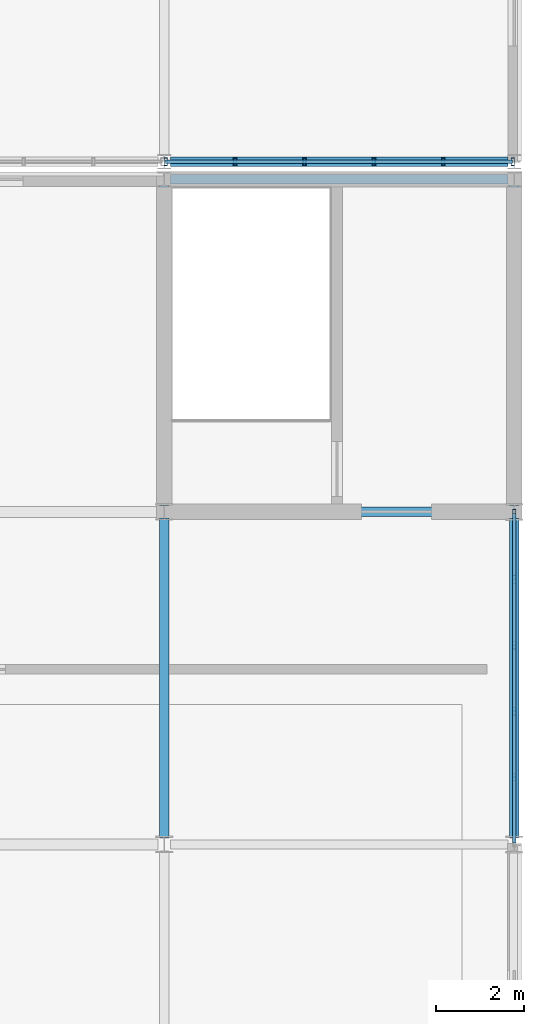
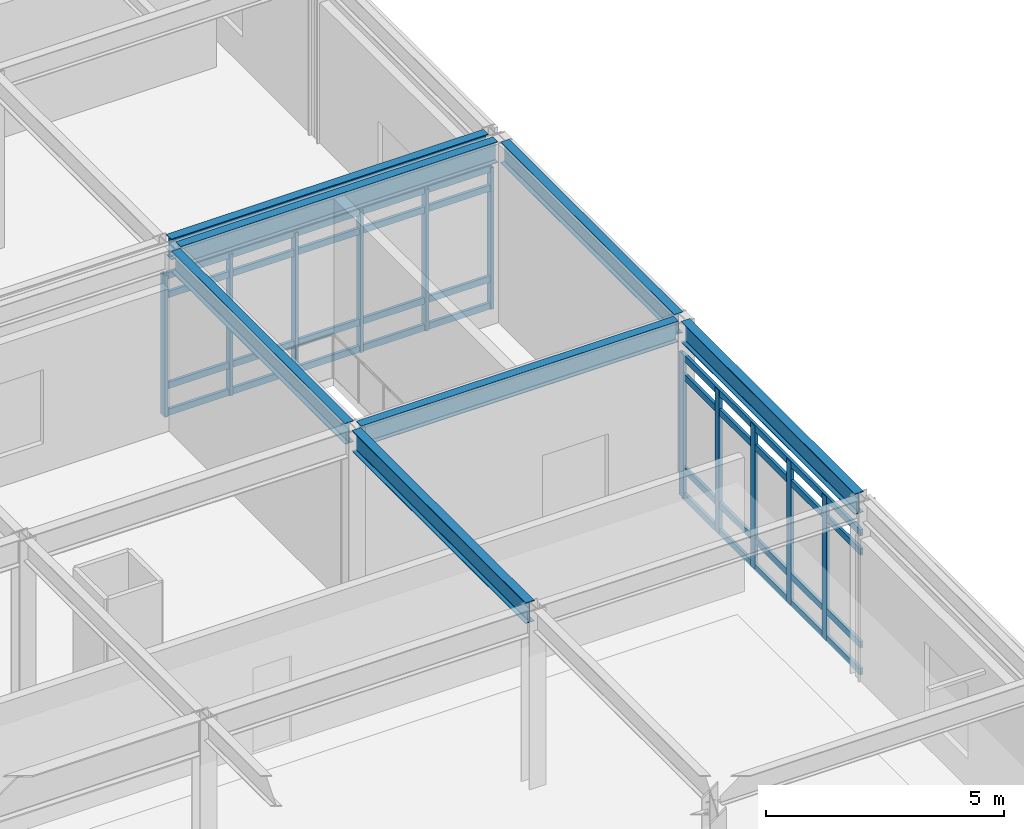
# One storey, part 67 of 104: 19 members, 7 beams, 2 elements without a shape of their own.
"""IFC4 building model written with IfcOpenShell, lengths in metres."""

from ifc_helpers import new_model, si_unit, direction, frame, origin, origin_2d, place, context, subcontext, project, spatial, hollow_rectangle, i_section, extrude, material, material_profile, profile_set, type_object, element, aggregate, save


model = new_model("IFC4")

# Units and contexts
model_context = context("Model", 3, precision=1e-05, world=origin(), true_north=direction((0.0, 1.0)))
body_context = subcontext(model_context, "Body", "Model", "MODEL_VIEW")
ifc_project = project(units=[si_unit("LENGTHUNIT", "METRE"), si_unit("AREAUNIT", "SQUARE_METRE"), si_unit("VOLUMEUNIT", "CUBIC_METRE"), si_unit("PLANEANGLEUNIT", "RADIAN"), si_unit("MASSUNIT", "GRAM", prefix="KILO")], contexts=[model_context])

# Site, building, storey
site_placement = place(None, origin())
site = spatial("IfcSite", under=ifc_project, at=site_placement, CompositionType="ELEMENT")
building_placement = place(site_placement, origin())
building = spatial("IfcBuilding", under=site, at=building_placement, Name="Zulena Civic Courthouse", CompositionType="ELEMENT")
storey_placement = place(building_placement, frame((0.0, 0.0, 15.60009765625)))
storey = spatial("IfcBuildingStorey", under=building, at=storey_placement, Name="L03", CompositionType="ELEMENT", Elevation=15.60009765625)

# Curtain wall, members
ifc_material_1 = material(Name="Double-silver low-E laminated solar-control glass", Category="glass")
curtain_wall_type_1 = type_object("IfcCurtainWallType", Name="CW_7528x3690", PredefinedType="USERDEFINED", material=ifc_material_1)
curtain_wall_1_placement = place(storey_placement, origin())
curtain_wall_1 = element("IfcCurtainWall", 1, at=curtain_wall_1_placement, inside=storey, type_object=curtain_wall_type_1, Name="cw:V1:L03:2:1", ObjectType="UNITISED CURTAIN WALL", PredefinedType="USERDEFINED")
ifc_material_2 = material(Name="Bronze anodised thermally broken aluminium AA6063-T6", Category="aluminium")
ifc_material_profile_1 = material_profile(ifc_material_2, hollow_rectangle(XDim=0.074951171875, YDim=0.179931640625, WallThickness=0.0048828125, at=origin_2d()), Name="CWM180X75X5")
ifc_profile_set_1 = profile_set([ifc_material_profile_1], Name="Bronze anodised thermally broken aluminium AA6063-T6")
member_type_1 = type_object("IfcMemberType", Name="CWMullion_180x75", PredefinedType="MULLION", material=ifc_profile_set_1)
member_1_placement = place(storey_placement, frame((172.0, 22.763916015625, 0.0), z_axis=(0.0, 0.0, 1.0), x_axis=(1.0, 0.0, 0.0)))
member_1 = element("IfcMember", 2, at=member_1_placement, type_object=member_type_1, Name="cw:V1:L03:2:1:mull:0", PredefinedType="MULLION", context=body_context, shape_type="SweptSolid", body=[
    extrude(hollow_rectangle(XDim=0.074951171875, YDim=0.179931640625, WallThickness=0.0048828125, at=origin_2d()), origin(), (0.0, 0.0, 1.0), 3.68994140625),
])
member_2_placement = place(storey_placement, frame((172.0, 21.25830078125, 0.0), z_axis=(0.0, 0.0, 1.0), x_axis=(1.0, 0.0, 0.0)))
member_2 = element("IfcMember", 3, at=member_2_placement, type_object=member_type_1, Name="cw:V1:L03:2:1:mull:1", PredefinedType="MULLION", context=body_context, shape_type="SweptSolid", body=[
    extrude(hollow_rectangle(XDim=0.074951171875, YDim=0.179931640625, WallThickness=0.0048828125, at=origin_2d()), origin(), (0.0, 0.0, 1.0), 3.68994140625),
])
member_3_placement = place(storey_placement, frame((172.0, 19.752685546875, 0.0), z_axis=(0.0, 0.0, 1.0), x_axis=(1.0, 0.0, 0.0)))
member_3 = element("IfcMember", 4, at=member_3_placement, type_object=member_type_1, Name="cw:V1:L03:2:1:mull:2", PredefinedType="MULLION", context=body_context, shape_type="SweptSolid", body=[
    extrude(hollow_rectangle(XDim=0.074951171875, YDim=0.179931640625, WallThickness=0.0048828125, at=origin_2d()), origin(), (0.0, 0.0, 1.0), 3.68994140625),
])
member_4_placement = place(storey_placement, frame((172.0, 18.247314453125, 0.0), z_axis=(0.0, 0.0, 1.0), x_axis=(1.0, 0.0, 0.0)))
member_4 = element("IfcMember", 5, at=member_4_placement, type_object=member_type_1, Name="cw:V1:L03:2:1:mull:3", PredefinedType="MULLION", context=body_context, shape_type="SweptSolid", body=[
    extrude(hollow_rectangle(XDim=0.074951171875, YDim=0.179931640625, WallThickness=0.0048828125, at=origin_2d()), origin(), (0.0, 0.0, 1.0), 3.68994140625),
])
member_5_placement = place(storey_placement, frame((172.0, 16.74169921875, 0.0), z_axis=(0.0, 0.0, 1.0), x_axis=(1.0, 0.0, 0.0)))
member_5 = element("IfcMember", 6, at=member_5_placement, type_object=member_type_1, Name="cw:V1:L03:2:1:mull:4", PredefinedType="MULLION", context=body_context, shape_type="SweptSolid", body=[
    extrude(hollow_rectangle(XDim=0.074951171875, YDim=0.179931640625, WallThickness=0.0048828125, at=origin_2d()), origin(), (0.0, 0.0, 1.0), 3.68994140625),
])

curtain_wall_type_2 = type_object("IfcCurtainWallType", Name="CW_7928x3635", PredefinedType="USERDEFINED", material=ifc_material_1)
curtain_wall_2_placement = place(storey_placement, origin())
curtain_wall_2 = element("IfcCurtainWall", 7, at=curtain_wall_2_placement, inside=storey, type_object=curtain_wall_type_2, Name="cw:V3:L03:3:0", ObjectType="UNITISED CURTAIN WALL", PredefinedType="USERDEFINED")
member_6_placement = place(storey_placement, frame((171.964111328125, 30.800048828125, 0.0), z_axis=(0.0, 0.0, 1.0), x_axis=(1.0, 0.0, 0.0)))
member_6 = element("IfcMember", 8, at=member_6_placement, type_object=member_type_1, Name="cw:V3:L03:3:0:mull:0", PredefinedType="MULLION", context=body_context, shape_type="SweptSolid", body=[
    extrude(hollow_rectangle(XDim=0.074951171875, YDim=0.179931640625, WallThickness=0.0048828125, at=origin_2d()), origin(), (0.0, 0.0, 1.0), 3.635009765625),
])
member_7_placement = place(storey_placement, frame((170.37841796875, 30.800048828125, 0.0), z_axis=(0.0, 0.0, 1.0), x_axis=(1.0, 0.0, 0.0)))
member_7 = element("IfcMember", 9, at=member_7_placement, type_object=member_type_1, Name="cw:V3:L03:3:0:mull:1", PredefinedType="MULLION", context=body_context, shape_type="SweptSolid", body=[
    extrude(hollow_rectangle(XDim=0.074951171875, YDim=0.179931640625, WallThickness=0.0048828125, at=origin_2d()), origin(), (0.0, 0.0, 1.0), 3.635009765625),
])
member_8_placement = place(storey_placement, frame((168.792724609375, 30.800048828125, 0.0), z_axis=(0.0, 0.0, 1.0), x_axis=(1.0, 0.0, 0.0)))
member_8 = element("IfcMember", 10, at=member_8_placement, type_object=member_type_1, Name="cw:V3:L03:3:0:mull:2", PredefinedType="MULLION", context=body_context, shape_type="SweptSolid", body=[
    extrude(hollow_rectangle(XDim=0.074951171875, YDim=0.179931640625, WallThickness=0.0048828125, at=origin_2d()), origin(), (0.0, 0.0, 1.0), 3.635009765625),
])
member_9_placement = place(storey_placement, frame((167.207275390625, 30.800048828125, 0.0), z_axis=(0.0, 0.0, 1.0), x_axis=(1.0, 0.0, 0.0)))
member_9 = element("IfcMember", 11, at=member_9_placement, type_object=member_type_1, Name="cw:V3:L03:3:0:mull:3", PredefinedType="MULLION", context=body_context, shape_type="SweptSolid", body=[
    extrude(hollow_rectangle(XDim=0.074951171875, YDim=0.179931640625, WallThickness=0.0048828125, at=origin_2d()), origin(), (0.0, 0.0, 1.0), 3.635009765625),
])
member_10_placement = place(storey_placement, frame((165.62158203125, 30.800048828125, 0.0), z_axis=(0.0, 0.0, 1.0), x_axis=(1.0, 0.0, 0.0)))
member_10 = element("IfcMember", 12, at=member_10_placement, type_object=member_type_1, Name="cw:V3:L03:3:0:mull:4", PredefinedType="MULLION", context=body_context, shape_type="SweptSolid", body=[
    extrude(hollow_rectangle(XDim=0.074951171875, YDim=0.179931640625, WallThickness=0.0048828125, at=origin_2d()), origin(), (0.0, 0.0, 1.0), 3.635009765625),
])
member_11_placement = place(storey_placement, frame((164.035888671875, 30.800048828125, 0.0), z_axis=(0.0, 0.0, 1.0), x_axis=(1.0, 0.0, 0.0)))
member_11 = element("IfcMember", 13, at=member_11_placement, type_object=member_type_1, Name="cw:V3:L03:3:0:mull:5", PredefinedType="MULLION", context=body_context, shape_type="SweptSolid", body=[
    extrude(hollow_rectangle(XDim=0.074951171875, YDim=0.179931640625, WallThickness=0.0048828125, at=origin_2d()), origin(), (0.0, 0.0, 1.0), 3.635009765625),
])

# Member
ifc_material_profile_2 = material_profile(ifc_material_2, hollow_rectangle(XDim=0.070068359375, YDim=0.1650390625, WallThickness=0.00390625, at=origin_2d()), Name="CWT165X70X4")
ifc_profile_set_2 = profile_set([ifc_material_profile_2], Name="Bronze anodised thermally broken aluminium AA6063-T6")
member_type_2 = type_object("IfcMemberType", Name="CWTransom_165x70", PredefinedType="USERDEFINED", material=ifc_profile_set_2)
member_12_placement = place(storey_placement, frame((172.0, 22.763916015625, 0.059814453125), z_axis=(0.0, -1.0, 0.0), x_axis=(1.0, 0.0, 0.0)))
member_12 = element("IfcMember", 14, at=member_12_placement, type_object=member_type_2, Name="cw:V1:L03:2:1:tran:0", ObjectType="TRANSOM", PredefinedType="USERDEFINED", context=body_context, shape_type="SweptSolid", body=[
    extrude(hollow_rectangle(XDim=0.070068359375, YDim=0.1650390625, WallThickness=0.00390625, at=origin_2d()), origin(), (0.0, 0.0, 1.0), 7.52783203125),
])

member_13_placement = place(storey_placement, frame((172.0, 22.763916015625, 0.75), z_axis=(0.0, -1.0, 0.0), x_axis=(1.0, 0.0, 0.0)))
member_13 = element("IfcMember", 15, at=member_13_placement, type_object=member_type_2, Name="cw:V1:L03:2:1:tran:1", ObjectType="TRANSOM", PredefinedType="USERDEFINED", context=body_context, shape_type="SweptSolid", body=[
    extrude(hollow_rectangle(XDim=0.070068359375, YDim=0.1650390625, WallThickness=0.00390625, at=origin_2d()), origin(), (0.0, 0.0, 1.0), 7.52783203125),
])

member_14_placement = place(storey_placement, frame((172.0, 22.763916015625, 3.139892578125), z_axis=(0.0, -1.0, 0.0), x_axis=(1.0, 0.0, 0.0)))
member_14 = element("IfcMember", 16, at=member_14_placement, type_object=member_type_2, Name="cw:V1:L03:2:1:tran:2", ObjectType="TRANSOM", PredefinedType="USERDEFINED", context=body_context, shape_type="SweptSolid", body=[
    extrude(hollow_rectangle(XDim=0.070068359375, YDim=0.1650390625, WallThickness=0.00390625, at=origin_2d()), origin(), (0.0, 0.0, 1.0), 7.52783203125),
])

member_15_placement = place(storey_placement, frame((172.0, 22.763916015625, 3.6298828125), z_axis=(0.0, -1.0, 0.0), x_axis=(1.0, 0.0, 0.0)))
member_15 = element("IfcMember", 17, at=member_15_placement, type_object=member_type_2, Name="cw:V1:L03:2:1:tran:3", ObjectType="TRANSOM", PredefinedType="USERDEFINED", context=body_context, shape_type="SweptSolid", body=[
    extrude(hollow_rectangle(XDim=0.070068359375, YDim=0.1650390625, WallThickness=0.00390625, at=origin_2d()), origin(), (0.0, 0.0, 1.0), 7.52783203125),
])

aggregate(curtain_wall_1, [member_1, member_2, member_3, member_4, member_5, member_12, member_13, member_14, member_15])

member_16_placement = place(storey_placement, frame((171.964111328125, 30.800048828125, 0.059814453125), z_axis=(-1.0, 0.0, 0.0), x_axis=(0.0, -1.0, 0.0)))
member_16 = element("IfcMember", 18, at=member_16_placement, type_object=member_type_2, Name="cw:V3:L03:3:0:tran:0", ObjectType="TRANSOM", PredefinedType="USERDEFINED", context=body_context, shape_type="SweptSolid", body=[
    extrude(hollow_rectangle(XDim=0.070068359375, YDim=0.1650390625, WallThickness=0.00390625, at=origin_2d()), origin(), (0.0, 0.0, 1.0), 7.92822265625),
])

member_17_placement = place(storey_placement, frame((171.964111328125, 30.800048828125, 0.75), z_axis=(-1.0, 0.0, 0.0), x_axis=(0.0, -1.0, 0.0)))
member_17 = element("IfcMember", 19, at=member_17_placement, type_object=member_type_2, Name="cw:V3:L03:3:0:tran:1", ObjectType="TRANSOM", PredefinedType="USERDEFINED", context=body_context, shape_type="SweptSolid", body=[
    extrude(hollow_rectangle(XDim=0.070068359375, YDim=0.1650390625, WallThickness=0.00390625, at=origin_2d()), origin(), (0.0, 0.0, 1.0), 7.92822265625),
])

member_18_placement = place(storey_placement, frame((171.964111328125, 30.800048828125, 3.0849609375), z_axis=(-1.0, 0.0, 0.0), x_axis=(0.0, -1.0, 0.0)))
member_18 = element("IfcMember", 20, at=member_18_placement, type_object=member_type_2, Name="cw:V3:L03:3:0:tran:2", ObjectType="TRANSOM", PredefinedType="USERDEFINED", context=body_context, shape_type="SweptSolid", body=[
    extrude(hollow_rectangle(XDim=0.070068359375, YDim=0.1650390625, WallThickness=0.00390625, at=origin_2d()), origin(), (0.0, 0.0, 1.0), 7.92822265625),
])

member_19_placement = place(storey_placement, frame((171.964111328125, 30.800048828125, 3.574951171875), z_axis=(-1.0, 0.0, 0.0), x_axis=(0.0, -1.0, 0.0)))
member_19 = element("IfcMember", 21, at=member_19_placement, type_object=member_type_2, Name="cw:V3:L03:3:0:tran:3", ObjectType="TRANSOM", PredefinedType="USERDEFINED", context=body_context, shape_type="SweptSolid", body=[
    extrude(hollow_rectangle(XDim=0.070068359375, YDim=0.1650390625, WallThickness=0.00390625, at=origin_2d()), origin(), (0.0, 0.0, 1.0), 7.92822265625),
])

aggregate(curtain_wall_2, [member_6, member_7, member_8, member_9, member_10, member_11, member_16, member_17, member_18, member_19])

# Beams
ifc_material_3 = material(Name="Steel ASTM A992 Grade 50", Category="steel")
ifc_material_profile_3 = material_profile(ifc_material_3, i_section(OverallWidth=0.2099609375, OverallDepth=0.537109375, WebThickness=0.010986328125, FlangeThickness=0.017333984375, FilletRadius=0.0126953125, at=origin_2d()), Name="W21X68")
ifc_profile_set_3 = profile_set([ifc_material_profile_3], Name="Steel ASTM A992 Grade 50")
beam_type_1 = type_object("IfcBeamType", Name="Girder_W21X68", PredefinedType="BEAM", material=ifc_profile_set_3)
beam_1_placement = place(storey_placement, frame((164.0, 15.344970703125, 4.326416015625), z_axis=(0.0, 1.0, 0.0), x_axis=(-1.0, 0.0, 0.0)))
element("IfcBeam", 22, at=beam_1_placement, inside=storey, type_object=beam_type_1, Name="beam:Y:V1:L03:164.0:15.2_22.8", PredefinedType="BEAM", context=body_context, shape_type="SweptSolid", body=[
    extrude(i_section(OverallWidth=0.2099609375, OverallDepth=0.537109375, WebThickness=0.010986328125, FlangeThickness=0.017333984375, FilletRadius=0.0126953125, at=origin_2d()), origin(), (0.0, 0.0, 1.0), 7.31005859375),
])
ifc_material_profile_4 = material_profile(ifc_material_3, i_section(OverallWidth=0.2099609375, OverallDepth=0.537109375, WebThickness=0.010986328125, FlangeThickness=0.017333984375, FilletRadius=0.0126953125, at=origin_2d()), Name="W21X68")
ifc_profile_set_4 = profile_set([ifc_material_profile_4], Name="Steel ASTM A992 Grade 50")
beam_type_2 = type_object("IfcBeamType", Name="Spandrel_W21X68", PredefinedType="SPANDREL", material=ifc_profile_set_4)
for number, where, z_axis, x_axis, name in (
    (23, (164.14501953125, 22.800048828125, 4.326416015625), (1.0, 0.0, 0.0), (0.0, 1.0, 0.0), "beam:X:V1:L03:22.8:164.0_172.0"),
    (24, (164.14501953125, 30.39990234375, 4.326416015625), (1.0, 0.0, 0.0), (0.0, 1.0, 0.0), "beam:X:V1:L03:30.4:164.0_172.0"),
):
    element("IfcBeam", number, at=place(storey_placement, frame(where, z_axis=z_axis, x_axis=x_axis)), inside=storey, type_object=beam_type_2, Name=name, PredefinedType="SPANDREL", context=body_context, shape_type="SweptSolid", body=[
        extrude(i_section(OverallWidth=0.2099609375, OverallDepth=0.537109375, WebThickness=0.010986328125, FlangeThickness=0.017333984375, FilletRadius=0.0126953125, at=origin_2d()), origin(), (0.0, 0.0, 1.0), 7.7099609375),
    ])
beam_2_placement = place(storey_placement, frame((164.0, 22.945068359375, 4.326416015625), z_axis=(0.0, 1.0, 0.0), x_axis=(-1.0, 0.0, 0.0)))
element("IfcBeam", 25, at=beam_2_placement, inside=storey, type_object=beam_type_2, Name="beam:Y:V1:L03:164.0:22.8_30.4", PredefinedType="SPANDREL", context=body_context, shape_type="SweptSolid", body=[
    extrude(i_section(OverallWidth=0.2099609375, OverallDepth=0.537109375, WebThickness=0.010986328125, FlangeThickness=0.017333984375, FilletRadius=0.0126953125, at=origin_2d()), origin(), (0.0, 0.0, 1.0), 7.309814453125),
])
beam_3_placement = place(storey_placement, frame((172.0, 15.344970703125, 4.326416015625), z_axis=(0.0, 1.0, 0.0), x_axis=(-1.0, 0.0, 0.0)))
element("IfcBeam", 26, at=beam_3_placement, inside=storey, type_object=beam_type_2, Name="beam:Y:V1:L03:172.0:15.2_22.8", PredefinedType="SPANDREL", context=body_context, shape_type="SweptSolid", body=[
    extrude(i_section(OverallWidth=0.2099609375, OverallDepth=0.537109375, WebThickness=0.010986328125, FlangeThickness=0.017333984375, FilletRadius=0.0126953125, at=origin_2d()), origin(), (0.0, 0.0, 1.0), 7.31005859375),
])
beam_4_placement = place(storey_placement, frame((172.0, 22.945068359375, 4.326416015625), z_axis=(0.0, 1.0, 0.0), x_axis=(-1.0, 0.0, 0.0)))
element("IfcBeam", 27, at=beam_4_placement, inside=storey, type_object=beam_type_2, Name="beam:Y:V1:L03:172.0:22.8_30.4", PredefinedType="SPANDREL", context=body_context, shape_type="SweptSolid", body=[
    extrude(i_section(OverallWidth=0.2099609375, OverallDepth=0.537109375, WebThickness=0.010986328125, FlangeThickness=0.017333984375, FilletRadius=0.0126953125, at=origin_2d()), origin(), (0.0, 0.0, 1.0), 7.309814453125),
])
beam_5_placement = place(storey_placement, frame((164.14501953125, 30.800048828125, 4.2763671875), z_axis=(1.0, 0.0, 0.0), x_axis=(0.0, 1.0, 0.0)))
element("IfcBeam", 28, at=beam_5_placement, inside=storey, type_object=beam_type_2, Name="beam:X:V3:L03:30.8:164.0_172.0", PredefinedType="SPANDREL", context=body_context, shape_type="SweptSolid", body=[
    extrude(i_section(OverallWidth=0.2099609375, OverallDepth=0.537109375, WebThickness=0.010986328125, FlangeThickness=0.017333984375, FilletRadius=0.0126953125, at=origin_2d()), origin(), (0.0, 0.0, 1.0), 7.7099609375),
])

save(model, "model.ifc")
